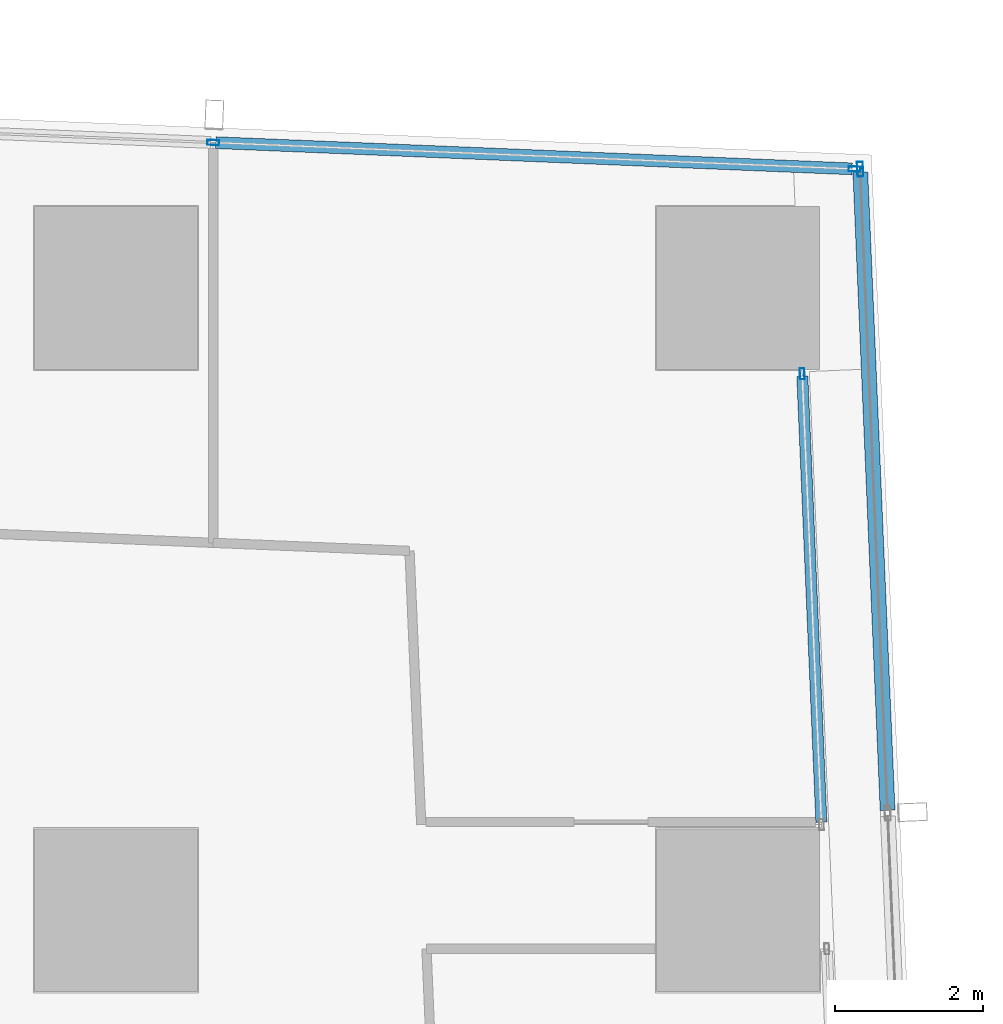
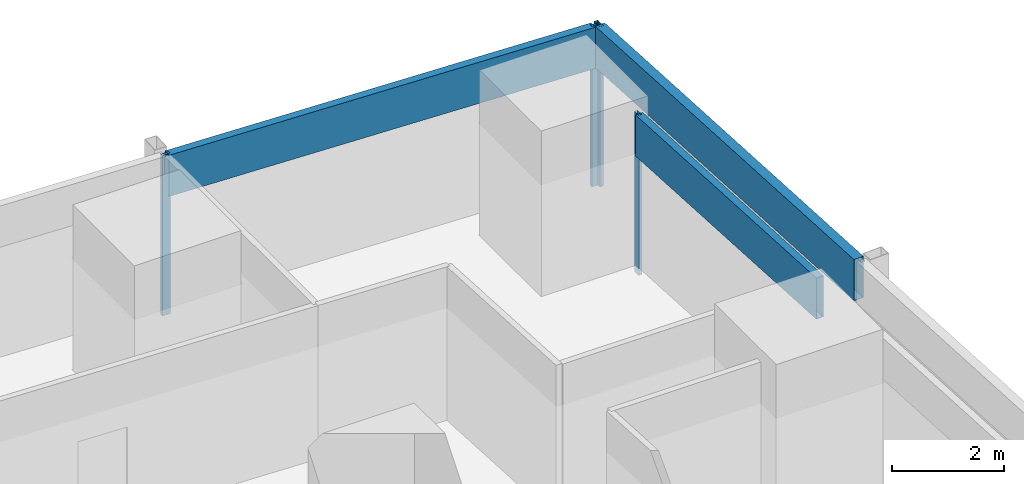
# One storey, part 23 of 44: 7 members, 3 elements without a shape of their own.
"""IFC4 building model written with IfcOpenShell, lengths in metres."""

from ifc_helpers import new_model, si_unit, direction, frame, origin, origin_2d, place, context, subcontext, project, spatial, hollow_rectangle, extrude, material, material_profile, profile_set, type_object, element, aggregate, save


model = new_model("IFC4")

# Units and contexts
model_context = context("Model", 3, precision=1e-05, world=origin(), true_north=direction((0.0, 1.0)))
body_context = subcontext(model_context, "Body", "Model", "MODEL_VIEW")
ifc_project = project(units=[si_unit("LENGTHUNIT", "METRE"), si_unit("AREAUNIT", "SQUARE_METRE"), si_unit("VOLUMEUNIT", "CUBIC_METRE"), si_unit("PLANEANGLEUNIT", "RADIAN"), si_unit("MASSUNIT", "GRAM", prefix="KILO")], contexts=[model_context])

# Site, building, storey
site_placement = place(None, origin())
site = spatial("IfcSite", under=ifc_project, at=site_placement, CompositionType="ELEMENT")
building_placement = place(site_placement, origin())
building = spatial("IfcBuilding", under=site, at=building_placement, Name="Rekha Terrace Tower", CompositionType="ELEMENT")
storey_placement = place(building_placement, frame((0.0, 0.0, 66.64990234375)))
storey = spatial("IfcBuildingStorey", under=building, at=storey_placement, Name="L16", CompositionType="ELEMENT", Elevation=66.64990234375)

# Curtain wall, members
ifc_material_1 = material(Name="Aluminium framing", Category="aluminium")
curtain_wall_type_1 = type_object("IfcCurtainWallType", Name="CW1 double skin inner glazing", PredefinedType="USERDEFINED", material=ifc_material_1)
curtain_wall_1_placement = place(storey_placement, origin())
curtain_wall_1 = element("IfcCurtainWall", 1, at=curtain_wall_1_placement, inside=storey, type_object=curtain_wall_type_1, Name="CW1 double skin inner glazing", ObjectType="DOUBLE SKIN INNER GLAZING", PredefinedType="USERDEFINED")
ifc_material_2 = material(Name="Aluminium mullion section", Category="aluminium")
ifc_material_profile_1 = material_profile(ifc_material_2, hollow_rectangle(XDim=0.06494140625, YDim=0.14990234375, WallThickness=0.00390625, at=origin_2d()), Name="AL RHS 65x150")
ifc_profile_set_1 = profile_set([ifc_material_profile_1], Name="Aluminium mullion section")
member_type_1 = type_object("IfcMemberType", Name="CW1 mullion RHS 65 x 150", PredefinedType="MULLION", material=ifc_profile_set_1)
member_1_placement = place(storey_placement, frame((68.0654296875, 57.6435546875, 0.0), z_axis=(0.0, 0.0, 1.0), x_axis=(-0.9990881069, -0.042696073026, 0.0)))
member_1 = element("IfcMember", 2, at=member_1_placement, type_object=member_type_1, Name="CW1 mullion 2", PredefinedType="MULLION", context=body_context, shape_type="SweptSolid", body=[
    extrude(hollow_rectangle(XDim=0.06494140625, YDim=0.14990234375, WallThickness=0.00390625, at=origin_2d()), origin(), (0.0, 0.0, 1.0), 3.5),
])
ifc_material_3 = material(Name="Insulated aluminium spandrel box", Category="aluminium")
ifc_material_profile_2 = material_profile(ifc_material_3, hollow_rectangle(XDim=0.14990234375, YDim=0.89990234375, WallThickness=0.0029296875, at=origin_2d()), Name="AL SPANDREL BOX 150x900")
ifc_profile_set_2 = profile_set([ifc_material_profile_2], Name="Insulated aluminium spandrel box")
member_type_2 = type_object("IfcMemberType", Name="CW1 spandrel transom 150 x 900", PredefinedType="USERDEFINED", material=ifc_profile_set_2)
member_2_placement = place(storey_placement, frame((68.32421875, 51.5888671875, 3.050048828125), z_axis=(-0.042730627731, 0.999086629604, 0.0), x_axis=(-0.999086629604, -0.042730627731, 0.0)))
member_2 = element("IfcMember", 3, at=member_2_placement, type_object=member_type_2, Name="CW1 spandrel transom 1", ObjectType="TRANSOM", PredefinedType="USERDEFINED", context=body_context, shape_type="SweptSolid", body=[
    extrude(hollow_rectangle(XDim=0.14990234375, YDim=0.89990234375, WallThickness=0.0029296875, at=origin_2d()), origin(), (0.0, 0.0, 1.0), 6.02783203125),
])
aggregate(curtain_wall_1, [member_1, member_2])

curtain_wall_type_2 = type_object("IfcCurtainWallType", Name="CW2 double skin outer glazing", PredefinedType="USERDEFINED", material=ifc_material_1)
curtain_wall_2_placement = place(storey_placement, origin())
curtain_wall_2 = element("IfcCurtainWall", 4, at=curtain_wall_2_placement, inside=storey, type_object=curtain_wall_type_2, Name="CW2 double skin outer glazing", ObjectType="DOUBLE SKIN OUTER GLAZING", PredefinedType="USERDEFINED")
ifc_material_profile_3 = material_profile(ifc_material_2, hollow_rectangle(XDim=0.080078125, YDim=0.199951171875, WallThickness=0.00390625, at=origin_2d()), Name="AL RHS 80x200")
ifc_profile_set_3 = profile_set([ifc_material_profile_3], Name="Aluminium mullion section")
member_type_3 = type_object("IfcMemberType", Name="CW2 mullion RHS 80 x 200", PredefinedType="MULLION", material=ifc_profile_set_3)
member_3_placement = place(storey_placement, frame((68.84814453125, 60.40625, 0.0), z_axis=(0.0, 0.0, 1.0), x_axis=(-0.999088106903, -0.042696072956, 0.0)))
member_3 = element("IfcMember", 5, at=member_3_placement, type_object=member_type_3, Name="CW2 mullion 5", PredefinedType="MULLION", context=body_context, shape_type="SweptSolid", body=[
    extrude(hollow_rectangle(XDim=0.080078125, YDim=0.199951171875, WallThickness=0.00390625, at=origin_2d()), origin(), (0.0, 0.0, 1.0), 3.5),
])
ifc_material_profile_4 = material_profile(ifc_material_3, hollow_rectangle(XDim=0.199951171875, YDim=0.89990234375, WallThickness=0.0029296875, at=origin_2d()), Name="AL SPANDREL BOX 200x900")
ifc_profile_set_4 = profile_set([ifc_material_profile_4], Name="Insulated aluminium spandrel box")
member_type_4 = type_object("IfcMemberType", Name="CW2 spandrel transom 200 x 900", PredefinedType="USERDEFINED", material=ifc_profile_set_4)
member_4_placement = place(storey_placement, frame((69.218017578125, 51.750244140625, 3.050048828125), z_axis=(-0.042691483974, 0.999088303002, 0.0), x_axis=(-0.999088303002, -0.042691483974, 0.0)))
member_4 = element("IfcMember", 6, at=member_4_placement, type_object=member_type_4, Name="CW2 spandrel transom 4", ObjectType="TRANSOM", PredefinedType="USERDEFINED", context=body_context, shape_type="SweptSolid", body=[
    extrude(hollow_rectangle(XDim=0.199951171875, YDim=0.89990234375, WallThickness=0.0029296875, at=origin_2d()), origin(), (0.0, 0.0, 1.0), 8.623779296875),
])
aggregate(curtain_wall_2, [member_3, member_4])

curtain_wall_type_3 = type_object("IfcCurtainWallType", Name="CW3 north unitised glazing", PredefinedType="USERDEFINED", material=ifc_material_1)
curtain_wall_3_placement = place(storey_placement, origin())
curtain_wall_3 = element("IfcCurtainWall", 7, at=curtain_wall_3_placement, inside=storey, type_object=curtain_wall_type_3, Name="CW3 unitised curtain wall", ObjectType="UNITISED CURTAIN WALL", PredefinedType="USERDEFINED")
ifc_material_profile_5 = material_profile(ifc_material_2, hollow_rectangle(XDim=0.070068359375, YDim=0.159912109375, WallThickness=0.00390625, at=origin_2d()), Name="AL RHS 70x160")
ifc_profile_set_5 = profile_set([ifc_material_profile_5], Name="Aluminium mullion section")
member_type_5 = type_object("IfcMemberType", Name="CW3 mullion RHS 70 x 160", PredefinedType="MULLION", material=ifc_profile_set_5)
member_5_placement = place(storey_placement, frame((68.77294921875, 60.4091796875, 0.0), z_axis=(0.0, 0.0, 1.0), x_axis=(-0.041173846041, -0.999151997647, 0.0)))
member_5 = element("IfcMember", 8, at=member_5_placement, type_object=member_type_5, Name="CW3 mullion 1", PredefinedType="MULLION", context=body_context, shape_type="SweptSolid", body=[
    extrude(hollow_rectangle(XDim=0.070068359375, YDim=0.159912109375, WallThickness=0.00390625, at=origin_2d()), origin(), (0.0, 0.0, 1.0), 3.5),
])
member_6_placement = place(storey_placement, frame((60.111572265625, 60.76611328125, 0.0), z_axis=(0.0, 0.0, 1.0), x_axis=(-0.041173846041, -0.999151997647, 0.0)))
member_6 = element("IfcMember", 9, at=member_6_placement, type_object=member_type_5, Name="CW3 mullion 2", PredefinedType="MULLION", context=body_context, shape_type="SweptSolid", body=[
    extrude(hollow_rectangle(XDim=0.070068359375, YDim=0.159912109375, WallThickness=0.00390625, at=origin_2d()), origin(), (0.0, 0.0, 1.0), 3.5),
])
ifc_material_profile_6 = material_profile(ifc_material_3, hollow_rectangle(XDim=0.159912109375, YDim=0.89990234375, WallThickness=0.0029296875, at=origin_2d()), Name="AL SPANDREL BOX 160x900")
ifc_profile_set_6 = profile_set([ifc_material_profile_6], Name="Insulated aluminium spandrel box")
member_type_6 = type_object("IfcMemberType", Name="CW3 spandrel transom 160 x 900", PredefinedType="USERDEFINED", material=ifc_profile_set_6)
member_7_placement = place(storey_placement, frame((68.738037109375, 60.41064453125, 3.050048828125), z_axis=(-0.99915220621, 0.041168784604, 0.0), x_axis=(-0.041168784604, -0.99915220621, 0.0)))
member_7 = element("IfcMember", 10, at=member_7_placement, type_object=member_type_6, Name="CW3 spandrel transom 1", ObjectType="TRANSOM", PredefinedType="USERDEFINED", context=body_context, shape_type="SweptSolid", body=[
    extrude(hollow_rectangle(XDim=0.159912109375, YDim=0.89990234375, WallThickness=0.0029296875, at=origin_2d()), origin(), (0.0, 0.0, 1.0), 8.598876953125),
])
aggregate(curtain_wall_3, [member_5, member_6, member_7])

save(model, "model.ifc")
